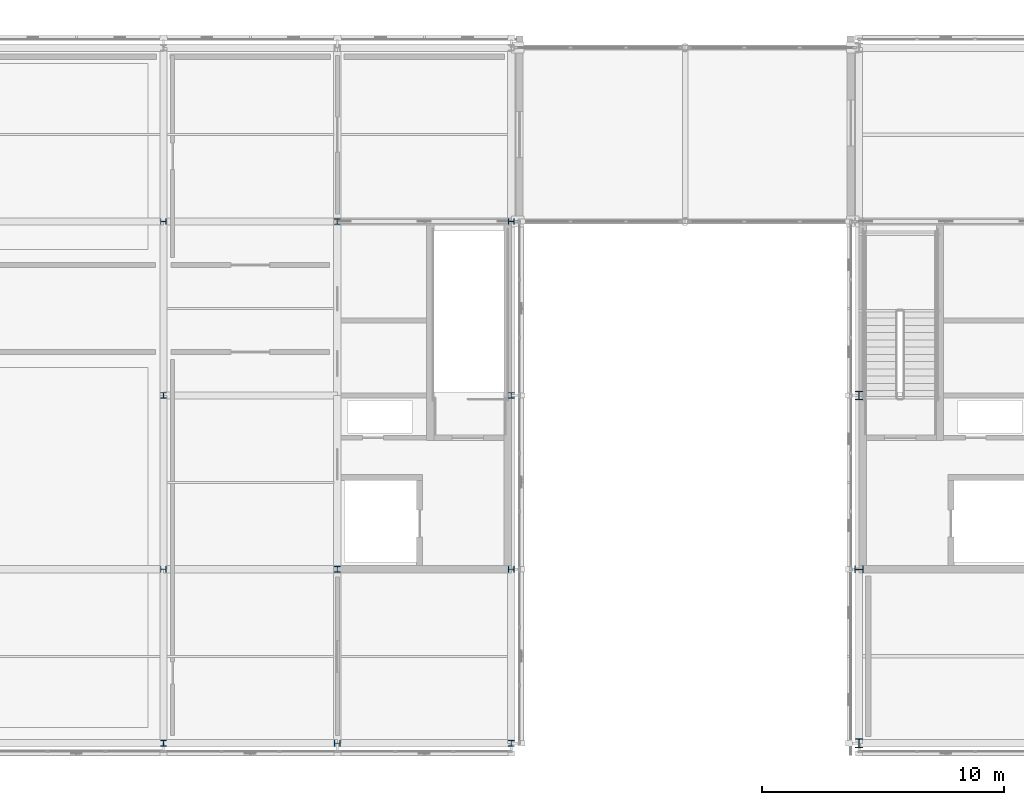
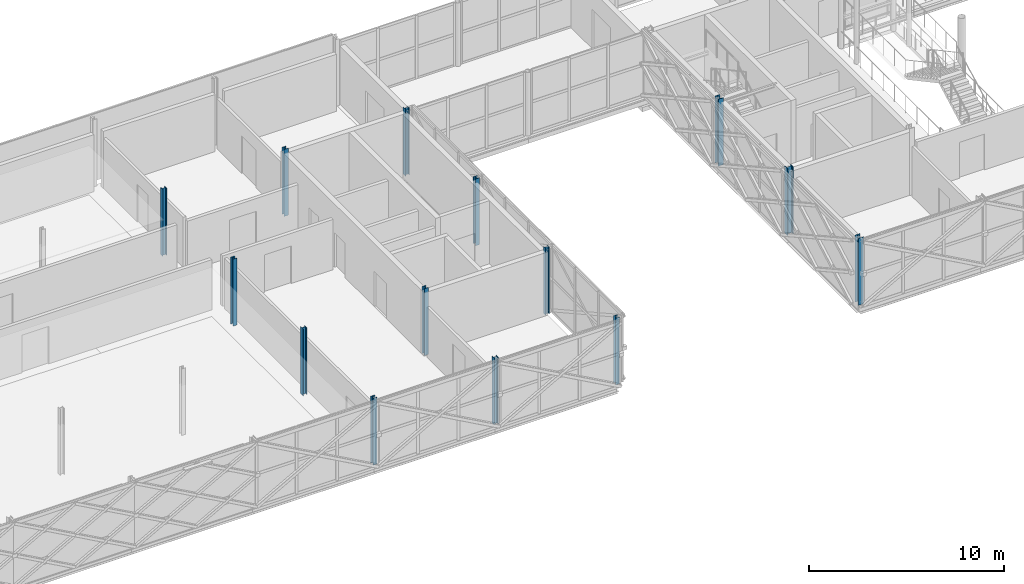
# One storey, part 2 of 126: 14 columns.
"""IFC4 building model written with IfcOpenShell, lengths in metres."""

import ifcopenshell
import ifcopenshell.guid

model = None  # the IFC model being written
_history = None  # IfcOwnerHistory: only IFC2X3 demands one
_inside = {}  # id of a spatial element -> (the spatial element, [elements in it])
_under = {}  # id of a project, library or spatial element -> (it, [spatial elements below it])
_declared = {}  # id of a project -> (the project, [libraries it declares])
_typed = {}  # id of a type object -> (the type object, [elements of that type])
_made_of = {}  # id of a material, layer set ... -> (it, [elements and type objects made of it])


def new_model(schema):
    """Start an empty IFC model of exactly this schema.

    Asked for "IFC4X3", IfcOpenShell would pick the latest addendum, in which some entities
    have other attributes; the version numbers below select the first issue.
    IFC2X3 requires an IfcOwnerHistory on every rooted entity: one is made here for all.
    """
    global model, _history
    if schema == "IFC4X3":
        model = ifcopenshell.file(schema_version=(4, 3, 0, 0))
    else:
        model = ifcopenshell.file(schema=schema)
    _inside.clear()
    _under.clear()
    _declared.clear()
    _typed.clear()
    _made_of.clear()
    _history = None
    if model.schema == "IFC2X3":
        org = make("IfcOrganization", Name="unknown")
        user = make(
            "IfcPersonAndOrganization",
            ThePerson=make("IfcPerson", FamilyName="unknown"),
            TheOrganization=org,
        )
        app = make(
            "IfcApplication",
            ApplicationDeveloper=org,
            Version="unknown",
            ApplicationFullName="unknown",
            ApplicationIdentifier="unknown",
        )
        _history = make(
            "IfcOwnerHistory",
            OwningUser=user,
            OwningApplication=app,
            ChangeAction="ADDED",
            CreationDate=0,
        )
    return model


def make(cls, **values):
    """One entity of the class cls with the attributes given. An attribute that is None is left unset."""
    return model.create_entity(
        cls, **{name: value for name, value in values.items() if value is not None}
    )


def rooted(cls, **values):
    """An entity with a GlobalId (a new one), such as an element, a storey or a relation."""
    return make(cls, GlobalId=ifcopenshell.guid.new(), OwnerHistory=_history, **values)


def si_unit(unit_type, name, prefix=None):
    """IfcSIUnit, for example si_unit("LENGTHUNIT", "METRE", prefix="MILLI")."""
    return make("IfcSIUnit", UnitType=unit_type, Prefix=prefix, Name=name)


def assignment(units):
    """IfcUnitAssignment: the units of a project."""
    return None if units is None else make("IfcUnitAssignment", Units=units)


def point(xyz):
    """IfcCartesianPoint."""
    return None if xyz is None else make("IfcCartesianPoint", Coordinates=xyz)


def direction(xyz):
    """IfcDirection."""
    return None if xyz is None else make("IfcDirection", DirectionRatios=xyz)


def frame(location, z_axis=None, x_axis=None):
    """IfcAxis2Placement3D, a coordinate frame: its origin and axes. An axis left out is left unset."""
    return make(
        "IfcAxis2Placement3D",
        Location=point(location),
        Axis=direction(z_axis),
        RefDirection=direction(x_axis),
    )


def frame_2d(location, x_axis=None):
    """IfcAxis2Placement2D, a coordinate frame in the plane: its origin and x axis."""
    return make(
        "IfcAxis2Placement2D", Location=point(location), RefDirection=direction(x_axis)
    )


def origin():
    """The frame at (0, 0, 0) with its axes left unset."""
    return frame((0.0, 0.0, 0.0))


def origin_2d():
    """The frame at (0, 0) in the plane with its x axis left unset."""
    return frame_2d((0.0, 0.0))


def place(relative_to, where):
    """IfcLocalPlacement: puts the frame where relative to a parent placement (None: the world)."""
    return make(
        "IfcLocalPlacement", PlacementRelTo=relative_to, RelativePlacement=where
    )


def context(
    kind, dimensions, precision=None, world=None, true_north=None, identifier=None
):
    """IfcGeometricRepresentationContext, for example the 3D "Model" context."""
    return make(
        "IfcGeometricRepresentationContext",
        ContextIdentifier=identifier,
        ContextType=kind,
        CoordinateSpaceDimension=dimensions,
        Precision=precision,
        WorldCoordinateSystem=world,
        TrueNorth=true_north,
    )


def subcontext(parent, identifier, kind, view, scale=None):
    """IfcGeometricRepresentationSubContext, for example "Body" below "Model"."""
    return make(
        "IfcGeometricRepresentationSubContext",
        ContextIdentifier=identifier,
        ContextType=kind,
        ParentContext=parent,
        TargetScale=scale,
        TargetView=view,
    )


def project(units=None, contexts=None):
    """IfcProject with its units and contexts."""
    return rooted(
        "IfcProject",
        Name="project",
        RepresentationContexts=contexts,
        UnitsInContext=assignment(units),
    )


def spatial(cls, under=None, at=None, **own):
    """A site, building, storey or space (cls), placed at a placement, below another one or the project."""
    s = rooted(cls, ObjectPlacement=at, **own)
    if under is not None:
        _under.setdefault(under.id(), (under, []))[1].append(s)
    return s


def profile(cls, at=None, kind="AREA", **sizes):
    """A parametric profile (cls). Its sizes go by their IFC names, for example OverallWidth=200.0."""
    return make(cls, ProfileType=kind, Position=at, **sizes)


def i_section(**sizes):
    """IfcIShapeProfileDef."""
    return profile("IfcIShapeProfileDef", **sizes)


def extrude(swept, where, along, depth):
    """IfcExtrudedAreaSolid: the profile swept, set in the frame where, extruded along a direction by depth."""
    return make(
        "IfcExtrudedAreaSolid",
        SweptArea=swept,
        Position=where,
        ExtrudedDirection=direction(along),
        Depth=depth,
    )


def shape(context_of_items, identifier, shape_type, items):
    """IfcShapeRepresentation: the items that make up one representation, for example the "Body"."""
    return make(
        "IfcShapeRepresentation",
        ContextOfItems=context_of_items,
        RepresentationIdentifier=identifier,
        RepresentationType=shape_type,
        Items=items,
    )


def material(Name=None, Category=None):
    """IfcMaterial."""
    return make("IfcMaterial", Name=Name, Category=Category)


def material_profile(
    of_material, cross_section, Name=None, Category=None, Priority=None
):
    """IfcMaterialProfile: a cross section and its material."""
    return make(
        "IfcMaterialProfile",
        Name=Name,
        Material=of_material,
        Profile=cross_section,
        Priority=Priority,
        Category=Category,
    )


def profile_set(profiles, Name=None, composite=None):
    """IfcMaterialProfileSet."""
    return make(
        "IfcMaterialProfileSet",
        Name=Name,
        MaterialProfiles=profiles,
        CompositeProfile=composite,
    )


def made_of(thing, what):
    """Note that an element or type object is made of a material, layer set ...; save() writes the relation."""
    if what is not None:
        _made_of.setdefault(what.id(), (what, []))[1].append(thing)
    return thing


def type_object(cls, material=None, **own):
    """A type object (cls), such as IfcWallType, which elements share."""
    return made_of(rooted(cls, **own), material)


def element(
    cls,
    number,
    at=None,
    inside=None,
    cuts=None,
    type_object=None,
    material=None,
    context=None,
    identifier="Body",
    shape_type=None,
    held_by="IfcProductDefinitionShape",
    body=None,
    shapes=None,
    **own,
):
    """One element of the class cls, such as IfcWall. Its Tag is "e" and its number.

    at: its placement. inside: the storey or other place that contains it. cuts: it is an
    opening in that element (IfcRelVoidsElement). A single representation is given by context,
    identifier, shape_type and body (its items); several are given by shapes. held_by: the class
    of the entity that holds the representations. save() writes the other relations.
    """
    e = rooted(cls, Tag="e%d" % number, ObjectPlacement=at, **own)
    if body is not None:
        shapes = [shape(context, identifier, shape_type, body)]
    if shapes is not None:
        e.Representation = make(held_by, Representations=shapes)
    if inside is not None:
        _inside.setdefault(inside.id(), (inside, []))[1].append(e)
    if cuts is not None:
        rooted(
            "IfcRelVoidsElement", RelatingBuildingElement=cuts, RelatedOpeningElement=e
        )
    if type_object is not None:
        _typed.setdefault(type_object.id(), (type_object, []))[1].append(e)
    return made_of(e, material)


def aggregate(whole, parts):
    """IfcRelAggregates: a whole, such as a stair, and the parts it consists of."""
    return rooted("IfcRelAggregates", RelatingObject=whole, RelatedObjects=parts)


def save(model, path):
    """Write the relations noted so far, then the file.

    IfcRelAggregates (storeys below a building ...), IfcRelContainedInSpatialStructure (elements
    in a storey), IfcRelDefinesByType, IfcRelAssociatesMaterial and IfcRelDeclares: one each for
    every whole, place, type object, material and project.
    """
    for whole, parts in _under.values():
        aggregate(whole, parts)
    for where, things in _inside.values():
        rooted(
            "IfcRelContainedInSpatialStructure",
            RelatedElements=things,
            RelatingStructure=where,
        )
    for kind, things in _typed.values():
        rooted("IfcRelDefinesByType", RelatedObjects=things, RelatingType=kind)
    for what, things in _made_of.values():
        rooted("IfcRelAssociatesMaterial", RelatedObjects=things, RelatingMaterial=what)
    for by, libraries in _declared.values():
        rooted("IfcRelDeclares", RelatingContext=by, RelatedDefinitions=libraries)
    model.write(path)


model = new_model("IFC4")

# Units and contexts
model_context = context("Model", 3, precision=1e-05, world=origin(), true_north=direction((0.0, 1.0)))
body_context = subcontext(model_context, "Body", "Model", "MODEL_VIEW")
ifc_project = project(units=[si_unit("LENGTHUNIT", "METRE"), si_unit("AREAUNIT", "SQUARE_METRE"), si_unit("VOLUMEUNIT", "CUBIC_METRE"), si_unit("PLANEANGLEUNIT", "RADIAN"), si_unit("MASSUNIT", "GRAM", prefix="KILO")], contexts=[model_context])

# Site, building, storey
site_placement = place(None, origin())
site = spatial("IfcSite", under=ifc_project, at=site_placement, CompositionType="ELEMENT")
building_placement = place(site_placement, origin())
building = spatial("IfcBuilding", under=site, at=building_placement, Name="Zlatovets Crest Museum", CompositionType="ELEMENT")
storey_placement = place(building_placement, frame((0.0, 0.0, 8.699951171875)))
storey = spatial("IfcBuildingStorey", under=building, at=storey_placement, Name="L02", CompositionType="ELEMENT", Elevation=8.699951171875)

# Columns
ifc_material = material(Name="Structural steel S355J2", Category="steel")
ifc_material_profile_1 = material_profile(ifc_material, i_section(OverallWidth=0.300048828125, OverallDepth=0.360107421875, WebThickness=0.012451171875, FlangeThickness=0.0224609375, FilletRadius=0.027099609375, at=origin_2d()), Name="HEB 360")
ifc_profile_set_1 = profile_set([ifc_material_profile_1], Name="Structural steel S355J2")
column_type_1 = type_object("IfcColumnType", Name="Col_C-08", PredefinedType="COLUMN", material=ifc_profile_set_1)
for number, where, z_axis, x_axis, name in (
    (1, (57.60009765625, 0.0, 0.0), (0.0, 0.0, 1.0), (1.0, 0.0, 0.0), "V2 L02 Column (57.6, 0.0)"),
    (2, (57.60009765625, 7.199951171875, 0.0), (0.0, 0.0, 1.0), (0.0, 1.0, 0.0), "V2 L02 Column (57.6, 7.2)"),
    (3, (57.60009765625, 14.39990234375, 0.0), (0.0, 0.0, 1.0), (1.0, 0.0, 0.0), "V2 L02 Column (57.6, 14.4)"),
):
    element("IfcColumn", number, at=place(storey_placement, frame(where, z_axis=z_axis, x_axis=x_axis)), inside=storey, type_object=column_type_1, Name=name, PredefinedType="COLUMN", context=body_context, shape_type="SweptSolid", body=[
        extrude(i_section(OverallWidth=0.300048828125, OverallDepth=0.360107421875, WebThickness=0.012451171875, FlangeThickness=0.0224609375, FilletRadius=0.027099609375, at=origin_2d()), origin(), (0.0, 0.0, 1.0), 4.199951171875),
    ])
ifc_material_profile_2 = material_profile(ifc_material, i_section(OverallWidth=0.239990234375, OverallDepth=0.239990234375, WebThickness=0.010009765625, FlangeThickness=0.01708984375, FilletRadius=0.02099609375, at=origin_2d()), Name="HEB 240")
ifc_profile_set_2 = profile_set([ifc_material_profile_2], Name="Structural steel S355J2")
column_type_2 = type_object("IfcColumnType", Name="Col_C-18", PredefinedType="COLUMN", material=ifc_profile_set_2)
for number, where, z_axis, x_axis, name in (
    (4, (28.800048828125, 0.0, 0.0), (0.0, 0.0, 1.0), (1.0, 0.0, 0.0), "V3 L02 Column (28.8, 0.0)"),
    (5, (28.800048828125, 7.199951171875, 0.0), (0.0, 0.0, 1.0), (0.0, 1.0, 0.0), "V3 L02 Column (28.8, 7.2)"),
    (6, (28.800048828125, 14.39990234375, 0.0), (0.0, 0.0, 1.0), (1.0, 0.0, 0.0), "V3 L02 Column (28.8, 14.4)"),
    (7, (28.800048828125, 21.60009765625, 0.0), (0.0, 0.0, 1.0), (0.0, 1.0, 0.0), "V3 L02 Column (28.8, 21.6)"),
    (8, (36.0, 0.0, 0.0), (0.0, 0.0, 1.0), (0.0, 1.0, 0.0), "V3 L02 Column (36.0, 0.0)"),
    (9, (36.0, 7.199951171875, 0.0), (0.0, 0.0, 1.0), (1.0, 0.0, 0.0), "V3 L02 Column (36.0, 7.2)"),
    (10, (36.0, 21.60009765625, 0.0), (0.0, 0.0, 1.0), (1.0, 0.0, 0.0), "V3 L02 Column (36.0, 21.6)"),
    (11, (43.199951171875, 0.0, 0.0), (0.0, 0.0, 1.0), (1.0, 0.0, 0.0), "V3 L02 Column (43.2, 0.0)"),
    (12, (43.199951171875, 7.199951171875, 0.0), (0.0, 0.0, 1.0), (0.0, 1.0, 0.0), "V3 L02 Column (43.2, 7.2)"),
    (13, (43.199951171875, 14.39990234375, 0.0), (0.0, 0.0, 1.0), (1.0, 0.0, 0.0), "V3 L02 Column (43.2, 14.4)"),
    (14, (43.199951171875, 21.60009765625, 0.0), (0.0, 0.0, 1.0), (0.0, 1.0, 0.0), "V3 L02 Column (43.2, 21.6)"),
):
    element("IfcColumn", number, at=place(storey_placement, frame(where, z_axis=z_axis, x_axis=x_axis)), inside=storey, type_object=column_type_2, Name=name, PredefinedType="COLUMN", context=body_context, shape_type="SweptSolid", body=[
        extrude(i_section(OverallWidth=0.239990234375, OverallDepth=0.239990234375, WebThickness=0.010009765625, FlangeThickness=0.01708984375, FilletRadius=0.02099609375, at=origin_2d()), origin(), (0.0, 0.0, 1.0), 4.199951171875),
    ])

save(model, "model.ifc")
